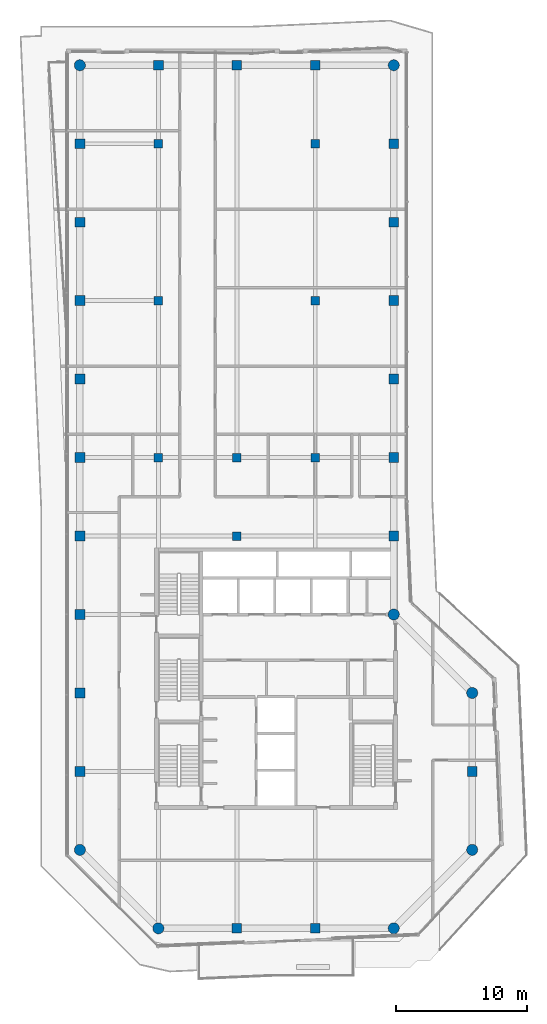
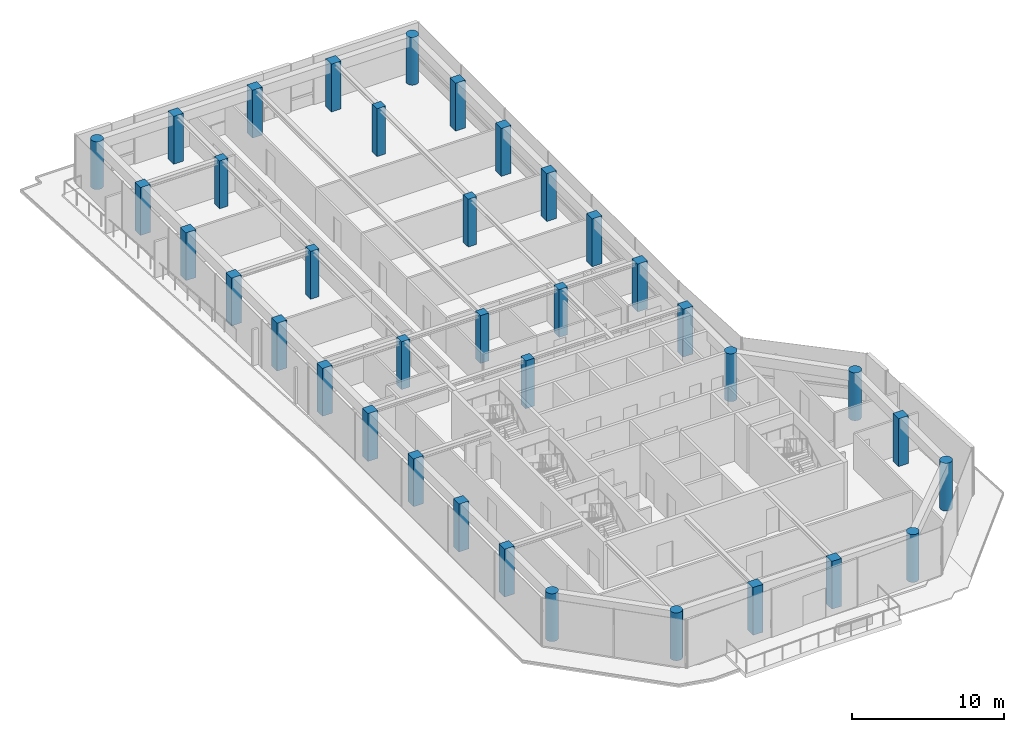
# One storey, part 1 of 20: 37 columns.
"""IFC4 building model written with IfcOpenShell, lengths in metres."""

from ifc_helpers import new_model, si_unit, direction, frame, origin, origin_2d, place, context, subcontext, project, spatial, rectangle, circle, extrude, material, material_profile, profile_set, type_object, element, save


model = new_model("IFC4")

# Units and contexts
model_context = context("Model", 3, precision=1e-05, world=origin(), true_north=direction((0.0, 1.0)))
body_context = subcontext(model_context, "Body", "Model", "MODEL_VIEW")
ifc_project = project(units=[si_unit("LENGTHUNIT", "METRE"), si_unit("AREAUNIT", "SQUARE_METRE"), si_unit("VOLUMEUNIT", "CUBIC_METRE"), si_unit("PLANEANGLEUNIT", "RADIAN"), si_unit("MASSUNIT", "GRAM", prefix="KILO")], contexts=[model_context])

# Site, building, storey
site_placement = place(None, origin())
site = spatial("IfcSite", under=ifc_project, at=site_placement, CompositionType="ELEMENT")
building_placement = place(site_placement, origin())
building = spatial("IfcBuilding", under=site, at=building_placement, Name="Welwitschia Terrace Campus", CompositionType="ELEMENT")
storey_placement = place(building_placement, frame((0.0, 0.0, 297.800048828125)))
storey = spatial("IfcBuildingStorey", under=building, at=storey_placement, Name="L66", CompositionType="ELEMENT", Elevation=297.800048828125)

# Columns
ifc_material_1 = material(Name="Concrete C50/60", Category="concrete")
ifc_material_profile_1 = material_profile(ifc_material_1, circle(Radius=0.425048828125, at=origin_2d()))
ifc_profile_set_1 = profile_set([ifc_material_profile_1], Name="Concrete C50/60")
column_type_1 = type_object("IfcColumnType", Name="Corner column 850 dia", PredefinedType="COLUMN", material=ifc_profile_set_1)
for number, where, z_axis, x_axis, name in (
    (1, (0.0, 2.0, 0.0), (0.0, 0.0, 1.0), (1.0, 0.0, 0.0), "Column C41"),
    (2, (0.0, 62.0, 0.0), (0.0, 0.0, 1.0), (1.0, 0.0, 0.0), "Column C41"),
    (3, (6.0, -4.0, 0.0), (0.0, 0.0, 1.0), (1.0, 0.0, 0.0), "Column C41"),
    (4, (24.0, -4.0, 0.0), (0.0, 0.0, 1.0), (1.0, 0.0, 0.0), "Column C41"),
    (5, (24.0, 20.0, 0.0), (0.0, 0.0, 1.0), (1.0, 0.0, 0.0), "Column C41"),
    (6, (24.0, 62.0, 0.0), (0.0, 0.0, 1.0), (1.0, 0.0, 0.0), "Column C41"),
    (7, (30.0, 2.0, 0.0), (0.0, 0.0, 1.0), (1.0, 0.0, 0.0), "Column C41"),
    (8, (30.0, 14.0, 0.0), (0.0, 0.0, 1.0), (1.0, 0.0, 0.0), "Column C41"),
):
    element("IfcColumn", number, at=place(storey_placement, frame(where, z_axis=z_axis, x_axis=x_axis)), inside=storey, type_object=column_type_1, Name=name, PredefinedType="COLUMN", context=body_context, shape_type="SweptSolid", body=[
        extrude(circle(Radius=0.425048828125, at=origin_2d()), origin(), (0.0, 0.0, 1.0), 3.849853515625),
    ])
ifc_material_2 = material(Name="Concrete C50/60", Category="concrete")
ifc_material_profile_2 = material_profile(ifc_material_2, rectangle(XDim=0.64990234375, YDim=0.64990234375, at=origin_2d()))
ifc_profile_set_2 = profile_set([ifc_material_profile_2], Name="Concrete C50/60")
column_type_2 = type_object("IfcColumnType", Name="Interior column 650x650", PredefinedType="COLUMN", material=ifc_profile_set_2)
for number, where, z_axis, x_axis, name in (
    (9, (6.0, 32.0, 0.0), (0.0, 0.0, 1.0), (1.0, 0.0, 0.0), "Column C43"),
    (10, (6.0, 44.0, 0.0), (0.0, 0.0, 1.0), (1.0, 0.0, 0.0), "Column C43"),
    (11, (6.0, 56.0, 0.0), (0.0, 0.0, 1.0), (1.0, 0.0, 0.0), "Column C43"),
    (12, (12.0, 26.0, 0.0), (0.0, 0.0, 1.0), (1.0, 0.0, 0.0), "Column C43"),
    (13, (12.0, 32.0, 0.0), (0.0, 0.0, 1.0), (1.0, 0.0, 0.0), "Column C43"),
    (14, (18.0, 32.0, 0.0), (0.0, 0.0, 1.0), (1.0, 0.0, 0.0), "Column C43"),
    (15, (18.0, 44.0, 0.0), (0.0, 0.0, 1.0), (1.0, 0.0, 0.0), "Column C43"),
    (16, (18.0, 56.0, 0.0), (0.0, 0.0, 1.0), (1.0, 0.0, 0.0), "Column C43"),
):
    element("IfcColumn", number, at=place(storey_placement, frame(where, z_axis=z_axis, x_axis=x_axis)), inside=storey, type_object=column_type_2, Name=name, PredefinedType="COLUMN", context=body_context, shape_type="SweptSolid", body=[
        extrude(rectangle(XDim=0.64990234375, YDim=0.64990234375, at=origin_2d()), origin(), (0.0, 0.0, 1.0), 3.849853515625),
    ])
ifc_material_3 = material(Name="Concrete C50/60", Category="concrete")
ifc_material_profile_3 = material_profile(ifc_material_3, rectangle(XDim=0.75, YDim=0.75, at=origin_2d()))
ifc_profile_set_3 = profile_set([ifc_material_profile_3], Name="Concrete C50/60")
column_type_3 = type_object("IfcColumnType", Name="Ring column 750x750", PredefinedType="COLUMN", material=ifc_profile_set_3)
for number, where, z_axis, x_axis, name in (
    (17, (0.0, 8.0, 0.0), (0.0, 0.0, 1.0), (1.0, 0.0, 0.0), "Column C42"),
    (18, (0.0, 14.0, 0.0), (0.0, 0.0, 1.0), (1.0, 0.0, 0.0), "Column C42"),
    (19, (0.0, 20.0, 0.0), (0.0, 0.0, 1.0), (1.0, 0.0, 0.0), "Column C42"),
    (20, (0.0, 26.0, 0.0), (0.0, 0.0, 1.0), (1.0, 0.0, 0.0), "Column C42"),
    (21, (0.0, 32.0, 0.0), (0.0, 0.0, 1.0), (1.0, 0.0, 0.0), "Column C42"),
    (22, (0.0, 38.0, 0.0), (0.0, 0.0, 1.0), (1.0, 0.0, 0.0), "Column C42"),
    (23, (0.0, 44.0, 0.0), (0.0, 0.0, 1.0), (1.0, 0.0, 0.0), "Column C42"),
    (24, (0.0, 50.0, 0.0), (0.0, 0.0, 1.0), (1.0, 0.0, 0.0), "Column C42"),
    (25, (0.0, 56.0, 0.0), (0.0, 0.0, 1.0), (1.0, 0.0, 0.0), "Column C42"),
    (26, (6.0, 62.0, 0.0), (0.0, 0.0, 1.0), (1.0, 0.0, 0.0), "Column C42"),
    (27, (12.0, -4.0, 0.0), (0.0, 0.0, 1.0), (1.0, 0.0, 0.0), "Column C42"),
    (28, (12.0, 62.0, 0.0), (0.0, 0.0, 1.0), (1.0, 0.0, 0.0), "Column C42"),
    (29, (18.0, -4.0, 0.0), (0.0, 0.0, 1.0), (1.0, 0.0, 0.0), "Column C42"),
    (30, (18.0, 62.0, 0.0), (0.0, 0.0, 1.0), (1.0, 0.0, 0.0), "Column C42"),
    (31, (24.0, 26.0, 0.0), (0.0, 0.0, 1.0), (1.0, 0.0, 0.0), "Column C42"),
    (32, (24.0, 32.0, 0.0), (0.0, 0.0, 1.0), (1.0, 0.0, 0.0), "Column C42"),
    (33, (24.0, 38.0, 0.0), (0.0, 0.0, 1.0), (1.0, 0.0, 0.0), "Column C42"),
    (34, (24.0, 44.0, 0.0), (0.0, 0.0, 1.0), (1.0, 0.0, 0.0), "Column C42"),
    (35, (24.0, 50.0, 0.0), (0.0, 0.0, 1.0), (1.0, 0.0, 0.0), "Column C42"),
    (36, (24.0, 56.0, 0.0), (0.0, 0.0, 1.0), (1.0, 0.0, 0.0), "Column C42"),
    (37, (30.0, 8.0, 0.0), (0.0, 0.0, 1.0), (1.0, 0.0, 0.0), "Column C42"),
):
    element("IfcColumn", number, at=place(storey_placement, frame(where, z_axis=z_axis, x_axis=x_axis)), inside=storey, type_object=column_type_3, Name=name, PredefinedType="COLUMN", context=body_context, shape_type="SweptSolid", body=[
        extrude(rectangle(XDim=0.75, YDim=0.75, at=origin_2d()), origin(), (0.0, 0.0, 1.0), 3.849853515625),
    ])

save(model, "model.ifc")
